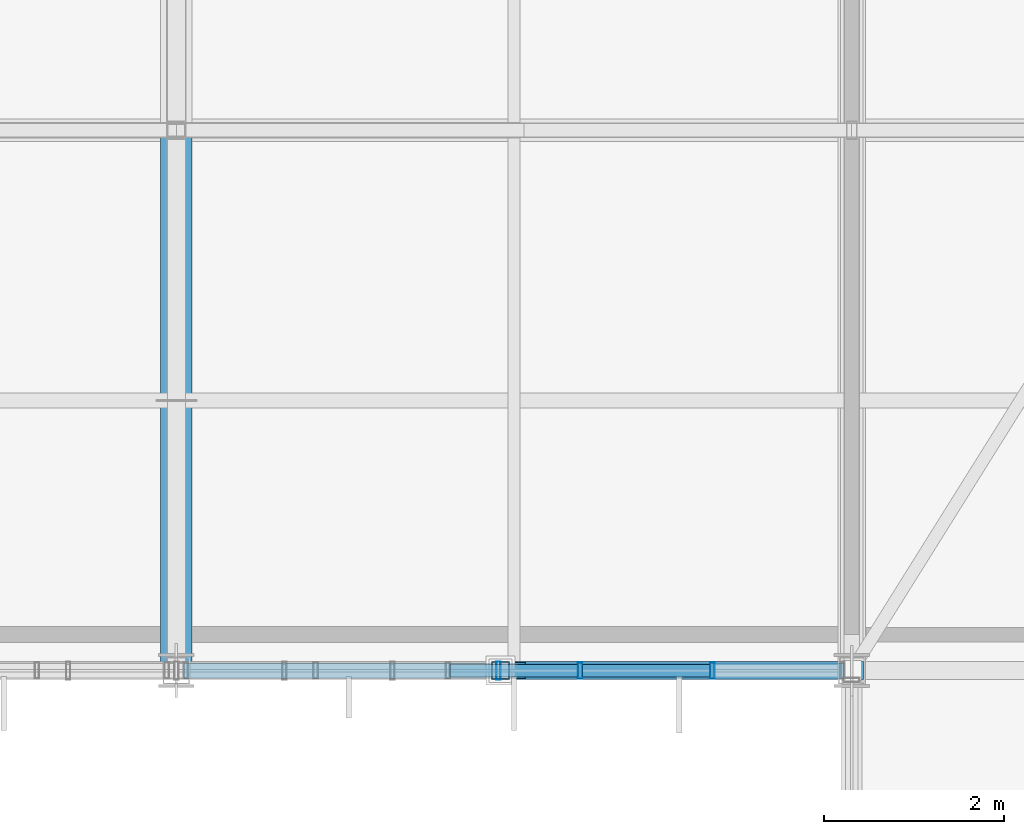
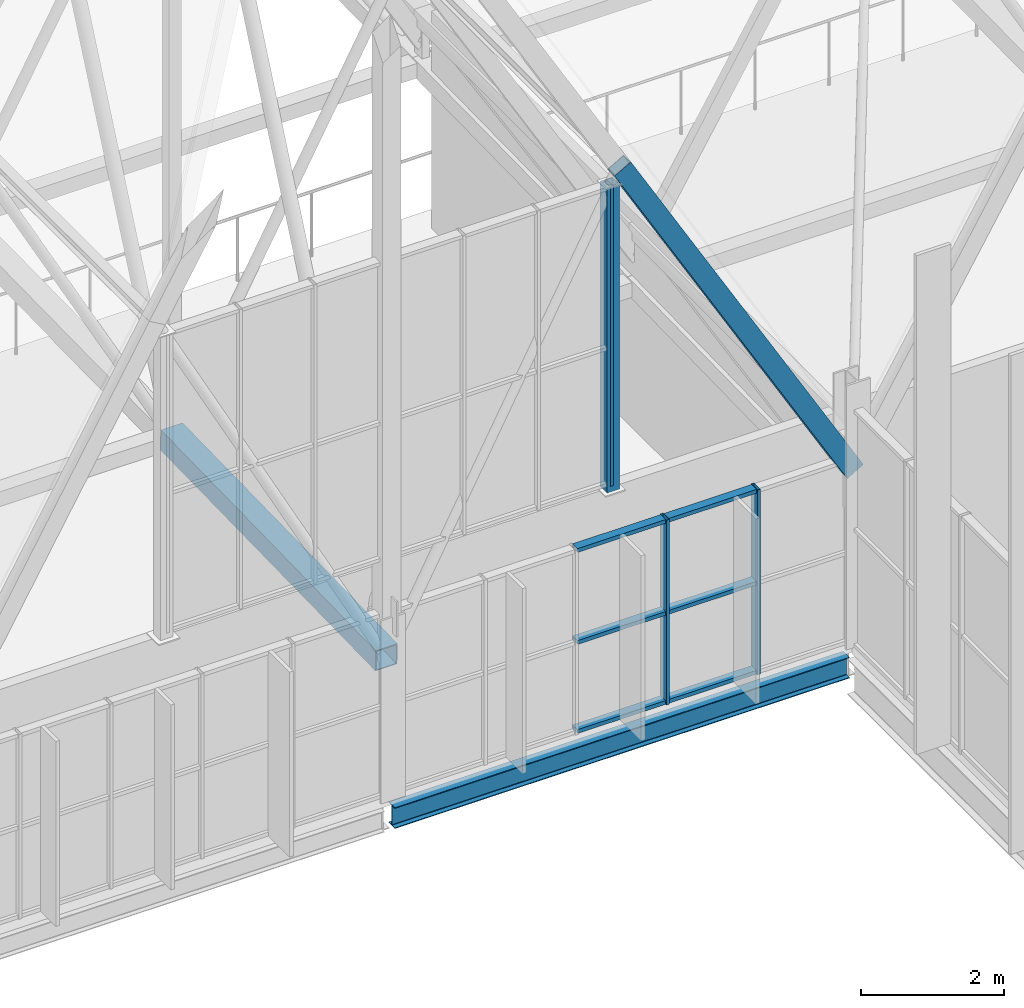
# One storey, part 137 of 324: 12 members, 1 beam, 2 elements without a shape of their own.
"""IFC4 building model written with IfcOpenShell, lengths in metres."""

from ifc_helpers import new_model, si_unit, direction, frame, origin, origin_2d, place, context, subcontext, project, spatial, hollow_rectangle, i_section, extrude, material, layer, layer_set, material_profile, profile_set, type_object, element, aggregate, save


model = new_model("IFC4")

# Units and contexts
model_context = context("Model", 3, precision=1e-05, world=origin(), true_north=direction((0.0, 1.0)))
body_context = subcontext(model_context, "Body", "Model", "MODEL_VIEW")
ifc_project = project(units=[si_unit("LENGTHUNIT", "METRE"), si_unit("AREAUNIT", "SQUARE_METRE"), si_unit("VOLUMEUNIT", "CUBIC_METRE"), si_unit("PLANEANGLEUNIT", "RADIAN"), si_unit("MASSUNIT", "GRAM", prefix="KILO")], contexts=[model_context])

# Site, building, storey
site_placement = place(None, origin())
site = spatial("IfcSite", under=ifc_project, at=site_placement, CompositionType="ELEMENT")
building_placement = place(site_placement, origin())
building = spatial("IfcBuilding", under=site, at=building_placement, Name="Solvenia Promenade Tram Depot", CompositionType="ELEMENT")
storey_placement = place(building_placement, frame((0.0, 0.0, 4.5)))
storey = spatial("IfcBuildingStorey", under=building, at=storey_placement, Name="L01", CompositionType="ELEMENT", Elevation=4.5)

# Curtain wall, members
ifc_material_1 = material(Name="Anodized aluminium AW-6063 T6", Category="aluminium")
ifc_layer_1 = layer(ifc_material_1, 0.159912109375, Name="Anodized aluminium AW-6063 T6", Category="aluminium")
ifc_layer_set_1 = layer_set([ifc_layer_1], Name="Anodized aluminium AW-6063 T6")
curtain_wall_type_1 = type_object("IfcCurtainWallType", Name="CW-Channel-1500", PredefinedType="NOTDEFINED", material=ifc_layer_set_1)
curtain_wall_1_placement = place(storey_placement, origin())
curtain_wall_1 = element("IfcCurtainWall", 1, at=curtain_wall_1_placement, inside=storey, type_object=curtain_wall_type_1, Name="Curtain Wall CW-V1S1-08", PredefinedType="NOTDEFINED")
ifc_material_profile_1 = material_profile(ifc_material_1, hollow_rectangle(XDim=0.179931640625, YDim=0.050048828125, WallThickness=0.00390625, at=origin_2d()), Name="ALU-M2", Category="aluminium")
ifc_profile_set_1 = profile_set([ifc_material_profile_1], Name="Anodized aluminium AW-6063 T6")
member_type_1 = type_object("IfcMemberType", Name="CWM-Mullion-2", PredefinedType="MULLION", material=ifc_profile_set_1)
member_1_placement = place(storey_placement, frame((101.98388671875, 66.0, 0.0), z_axis=(0.0, 0.0, 1.0), x_axis=(0.0, 1.0, 0.0)))
member_1 = element("IfcMember", 2, at=member_1_placement, type_object=member_type_1, Name="CW-2 mullion 4", PredefinedType="MULLION", context=body_context, shape_type="SweptSolid", body=[
    extrude(hollow_rectangle(XDim=0.179931640625, YDim=0.050048828125, WallThickness=0.00390625, at=origin_2d()), origin(), (0.0, 0.0, 1.0), 3.14990234375),
])
member_2_placement = place(storey_placement, frame((103.451904296875, 66.0, 0.0), z_axis=(0.0, 0.0, 1.0), x_axis=(0.0, 1.0, 0.0)))
member_2 = element("IfcMember", 3, at=member_2_placement, type_object=member_type_1, Name="CW-2 mullion 5", PredefinedType="MULLION", context=body_context, shape_type="SweptSolid", body=[
    extrude(hollow_rectangle(XDim=0.179931640625, YDim=0.050048828125, WallThickness=0.00390625, at=origin_2d()), origin(), (0.0, 0.0, 1.0), 3.14990234375),
])

# Curtain wall, member
ifc_layer_2 = layer(ifc_material_1, 0.14990234375, Name="Anodized aluminium AW-6063 T6", Category="aluminium")
ifc_layer_set_2 = layer_set([ifc_layer_2], Name="Anodized aluminium AW-6063 T6")
curtain_wall_type_2 = type_object("IfcCurtainWallType", Name="CW-Gable-1200", PredefinedType="NOTDEFINED", material=ifc_layer_set_2)
curtain_wall_2_placement = place(storey_placement, origin())
curtain_wall_2 = element("IfcCurtainWall", 4, at=curtain_wall_2_placement, inside=storey, type_object=curtain_wall_type_2, Name="South Zigzag Gable 07 Peak Glazing", PredefinedType="NOTDEFINED")
ifc_material_profile_2 = material_profile(ifc_material_1, hollow_rectangle(XDim=0.199951171875, YDim=0.048095703125, WallThickness=0.00390625, at=origin_2d()), Name="ALU-M3", Category="aluminium")
ifc_profile_set_2 = profile_set([ifc_material_profile_2], Name="Anodized aluminium AW-6063 T6")
member_type_2 = type_object("IfcMemberType", Name="CWM-Mullion-3", PredefinedType="MULLION", material=ifc_profile_set_2)
member_3_placement = place(storey_placement, frame((101.075927734375, 66.0, 4.050048828125), z_axis=(0.0, 0.0, 1.0), x_axis=(0.0, 1.0, 0.0)))
member_3 = element("IfcMember", 5, at=member_3_placement, type_object=member_type_2, Name="CW-3 mullion 7", PredefinedType="MULLION", context=body_context, shape_type="SweptSolid", body=[
    extrude(hollow_rectangle(XDim=0.199951171875, YDim=0.048095703125, WallThickness=0.00390625, at=origin_2d()), origin(), (0.0, 0.0, 1.0), 5.099853515625),
])
aggregate(curtain_wall_2, [member_3])

# Member
ifc_material_profile_3 = material_profile(ifc_material_1, hollow_rectangle(XDim=0.139892578125, YDim=0.06494140625, WallThickness=0.00390625, at=origin_2d()), Name="ALU-T2", Category="aluminium")
ifc_profile_set_3 = profile_set([ifc_material_profile_3], Name="Anodized aluminium AW-6063 T6")
member_type_3 = type_object("IfcMemberType", Name="CWT-Transom-2", PredefinedType="USERDEFINED", material=ifc_profile_set_3)
member_4_placement = place(storey_placement, frame((100.541015625, 66.0, 0.032470703125), z_axis=(1.0, 0.0, 0.0), x_axis=(0.0, 1.0, 0.0)))
member_4 = element("IfcMember", 6, at=member_4_placement, type_object=member_type_3, Name="CW-2 transom 3.1", ObjectType="TRANSOM", PredefinedType="USERDEFINED", context=body_context, shape_type="SweptSolid", body=[
    extrude(hollow_rectangle(XDim=0.139892578125, YDim=0.06494140625, WallThickness=0.00390625, at=origin_2d()), origin(), (0.0, 0.0, 1.0), 1.41796875),
])

member_5_placement = place(storey_placement, frame((100.541015625, 66.0, 1.550048828125), z_axis=(1.0, 0.0, 0.0), x_axis=(0.0, 1.0, 0.0)))
member_5 = element("IfcMember", 7, at=member_5_placement, type_object=member_type_3, Name="CW-2 transom 3.2", ObjectType="TRANSOM", PredefinedType="USERDEFINED", context=body_context, shape_type="SweptSolid", body=[
    extrude(hollow_rectangle(XDim=0.139892578125, YDim=0.06494140625, WallThickness=0.00390625, at=origin_2d()), origin(), (0.0, 0.0, 1.0), 1.41796875),
])

member_6_placement = place(storey_placement, frame((100.541015625, 66.0, 3.117431640625), z_axis=(1.0, 0.0, 0.0), x_axis=(0.0, 1.0, 0.0)))
member_6 = element("IfcMember", 8, at=member_6_placement, type_object=member_type_3, Name="CW-2 transom 3.3", ObjectType="TRANSOM", PredefinedType="USERDEFINED", context=body_context, shape_type="SweptSolid", body=[
    extrude(hollow_rectangle(XDim=0.139892578125, YDim=0.06494140625, WallThickness=0.00390625, at=origin_2d()), origin(), (0.0, 0.0, 1.0), 1.41796875),
])

member_7_placement = place(storey_placement, frame((102.009033203125, 66.0, 0.032470703125), z_axis=(1.0, 0.0, 0.0), x_axis=(0.0, 1.0, 0.0)))
member_7 = element("IfcMember", 9, at=member_7_placement, type_object=member_type_3, Name="CW-2 transom 4.1", ObjectType="TRANSOM", PredefinedType="USERDEFINED", context=body_context, shape_type="SweptSolid", body=[
    extrude(hollow_rectangle(XDim=0.139892578125, YDim=0.06494140625, WallThickness=0.00390625, at=origin_2d()), origin(), (0.0, 0.0, 1.0), 1.41796875),
])

member_8_placement = place(storey_placement, frame((102.009033203125, 66.0, 1.550048828125), z_axis=(1.0, 0.0, 0.0), x_axis=(0.0, 1.0, 0.0)))
member_8 = element("IfcMember", 10, at=member_8_placement, type_object=member_type_3, Name="CW-2 transom 4.2", ObjectType="TRANSOM", PredefinedType="USERDEFINED", context=body_context, shape_type="SweptSolid", body=[
    extrude(hollow_rectangle(XDim=0.139892578125, YDim=0.06494140625, WallThickness=0.00390625, at=origin_2d()), origin(), (0.0, 0.0, 1.0), 1.41796875),
])

member_9_placement = place(storey_placement, frame((102.009033203125, 66.0, 3.117431640625), z_axis=(1.0, 0.0, 0.0), x_axis=(0.0, 1.0, 0.0)))
member_9 = element("IfcMember", 11, at=member_9_placement, type_object=member_type_3, Name="CW-2 transom 4.3", ObjectType="TRANSOM", PredefinedType="USERDEFINED", context=body_context, shape_type="SweptSolid", body=[
    extrude(hollow_rectangle(XDim=0.139892578125, YDim=0.06494140625, WallThickness=0.00390625, at=origin_2d()), origin(), (0.0, 0.0, 1.0), 1.41796875),
])

aggregate(curtain_wall_1, [member_1, member_2, member_4, member_5, member_6, member_7, member_8, member_9])

# Members
ifc_material_2 = material(Name="Structural steel ASTM A500 Gr. C", Category="steel")
ifc_material_profile_4 = material_profile(ifc_material_2, hollow_rectangle(XDim=0.199951171875, YDim=0.300048828125, WallThickness=0.012451171875, at=origin_2d()), Name="HSS300x200x12.5", Category="steel")
ifc_profile_set_4 = profile_set([ifc_material_profile_4], Name="Structural steel ASTM A500 Gr. C")
member_type_4 = type_object("IfcMemberType", Name="Chord-HSS300x200x12", PredefinedType="CHORD", material=ifc_profile_set_4)
member_10_placement = place(storey_placement, frame((101.25, 66.0, 9.39013671875), z_axis=(0.501516268578, 0.0, -0.865148214095), x_axis=(0.0, 1.0, 0.0)))
element("IfcMember", 12, at=member_10_placement, inside=storey, type_object=member_type_4, Name="Zigzag Gable 07 East Lower Rafter", PredefinedType="CHORD", context=body_context, shape_type="SweptSolid", body=[
    extrude(hollow_rectangle(XDim=0.199951171875, YDim=0.300048828125, WallThickness=0.012451171875, at=origin_2d()), origin(), (0.0, 0.0, 1.0), 7.477294921875),
])
ifc_material_profile_5 = material_profile(ifc_material_2, hollow_rectangle(XDim=0.35009765625, YDim=0.35009765625, WallThickness=0.01611328125, at=origin_2d()), Name="HSS350x350x16", Category="steel")
ifc_profile_set_5 = profile_set([ifc_material_profile_5], Name="Structural steel ASTM A500 Gr. C")
member_type_5 = type_object("IfcMemberType", Name="Chord-HSS350x350x16", PredefinedType="CHORD", material=ifc_profile_set_5)
member_11_placement = place(storey_placement, frame((97.5, 66.0, 2.320068359375), z_axis=(0.0, 0.999779654873, 0.020991467363), x_axis=(-1.0, 0.0, 0.0)))
element("IfcMember", 13, at=member_11_placement, inside=storey, type_object=member_type_5, Name="Arched Truss T14 Bottom Chord S01", PredefinedType="CHORD", context=body_context, shape_type="SweptSolid", body=[
    extrude(hollow_rectangle(XDim=0.35009765625, YDim=0.35009765625, WallThickness=0.01611328125, at=origin_2d()), origin(), (0.0, 0.0, 1.0), 6.001220703125),
])
ifc_material_profile_6 = material_profile(ifc_material_2, hollow_rectangle(XDim=0.199951171875, YDim=0.199951171875, WallThickness=0.010009765625, at=origin_2d()), Name="HSS200x200x10", Category="steel")
ifc_profile_set_6 = profile_set([ifc_material_profile_6], Name="Structural steel ASTM A500 Gr. C")
member_type_6 = type_object("IfcMemberType", Name="Post-HSS200x200x10", PredefinedType="POST", material=ifc_profile_set_6)
member_12_placement = place(storey_placement, frame((101.10009765625, 66.0, 3.949951171875), z_axis=(0.0, 0.0, 1.0), x_axis=(1.0, 0.0, 0.0)))
element("IfcMember", 14, at=member_12_placement, inside=storey, type_object=member_type_6, Name="Gable Curtain-Wall Steel Jamb Post 028", PredefinedType="POST", context=body_context, shape_type="SweptSolid", body=[
    extrude(hollow_rectangle(XDim=0.199951171875, YDim=0.199951171875, WallThickness=0.010009765625, at=origin_2d()), origin(), (0.0, 0.0, 1.0), 5.199951171875),
])

# Beam
ifc_material_3 = material(Name="Structural steel ASTM A992 Gr. 50", Category="steel")
ifc_material_profile_7 = material_profile(ifc_material_3, i_section(OverallWidth=0.172119140625, OverallDepth=0.35791015625, WebThickness=0.0078125, FlangeThickness=0.01318359375, FilletRadius=0.010986328125, at=origin_2d()), Name="W360x57", Category="steel")
ifc_profile_set_7 = profile_set([ifc_material_profile_7], Name="Structural steel ASTM A992 Gr. 50")
beam_type = type_object("IfcBeamType", Name="Spandrel-W360x57", PredefinedType="SPANDREL", material=ifc_profile_set_7)
beam_placement = place(storey_placement, frame((97.5849609375, 66.0, -0.39892578125), z_axis=(1.0, 0.0, 0.0), x_axis=(0.0, 1.0, 0.0)))
element("IfcBeam", 15, at=beam_placement, inside=storey, type_object=beam_type, Name="Perimeter Spandrel BM-L01-0014", PredefinedType="SPANDREL", context=body_context, shape_type="SweptSolid", body=[
    extrude(i_section(OverallWidth=0.172119140625, OverallDepth=0.35791015625, WebThickness=0.0078125, FlangeThickness=0.01318359375, FilletRadius=0.010986328125, at=origin_2d()), origin(), (0.0, 0.0, 1.0), 7.330078125),
])

save(model, "model.ifc")
